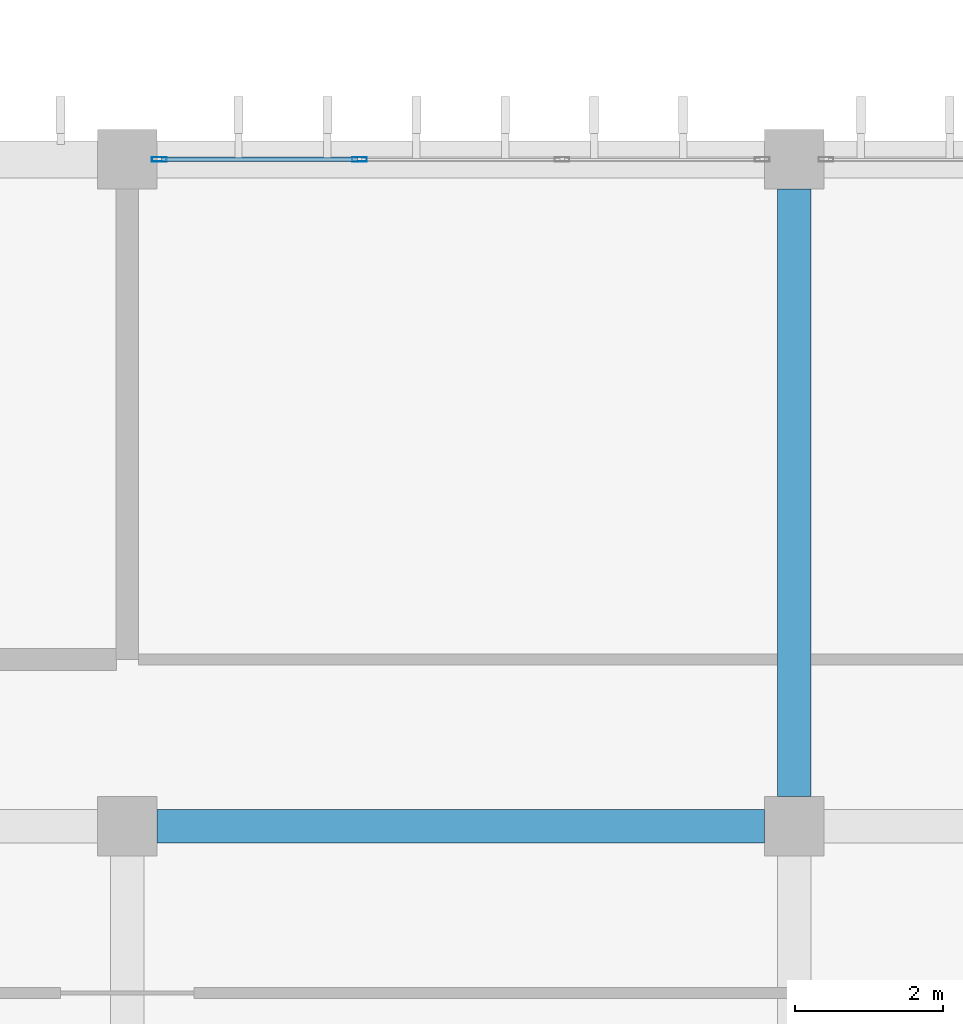
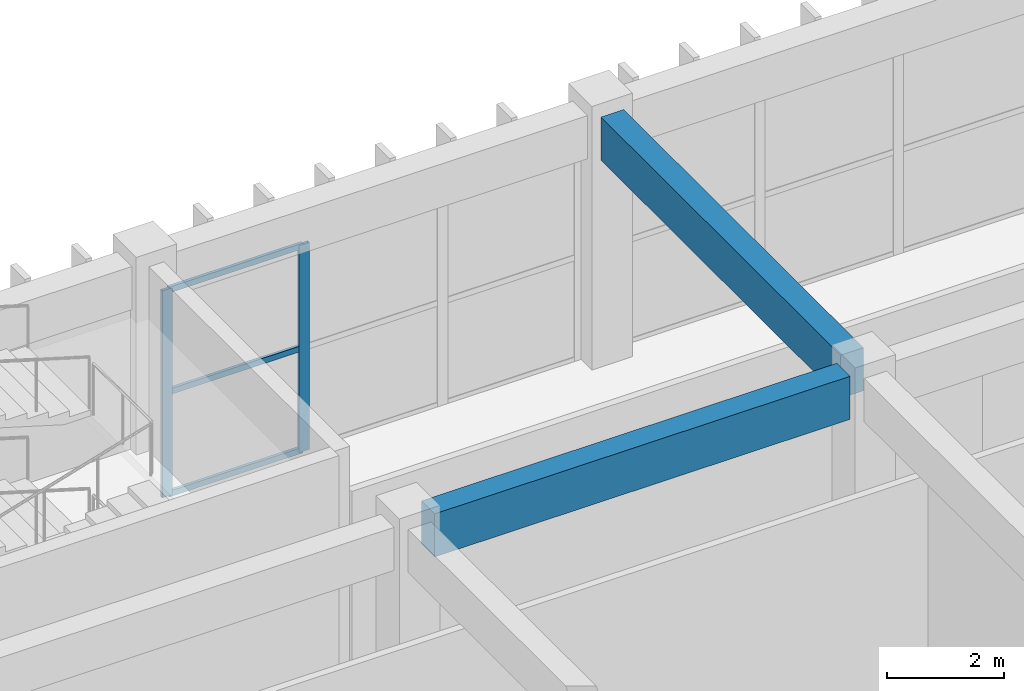
# One storey, part 214 of 437: 5 members, 2 beams, 1 element without a shape of its own.
"""IFC4 building model written with IfcOpenShell, lengths in metres."""

from ifc_helpers import new_model, si_unit, direction, frame, origin, origin_2d, place, context, subcontext, project, spatial, rectangle, hollow_rectangle, extrude, material, layer, layer_set, material_profile, profile_set, type_object, element, aggregate, save


model = new_model("IFC4")

# Units and contexts
model_context = context("Model", 3, precision=1e-05, world=origin(), true_north=direction((0.0, 1.0)))
body_context = subcontext(model_context, "Body", "Model", "MODEL_VIEW")
ifc_project = project(units=[si_unit("LENGTHUNIT", "METRE"), si_unit("AREAUNIT", "SQUARE_METRE"), si_unit("VOLUMEUNIT", "CUBIC_METRE"), si_unit("PLANEANGLEUNIT", "RADIAN"), si_unit("MASSUNIT", "GRAM", prefix="KILO")], contexts=[model_context])

# Site, building, storey
site_placement = place(None, origin())
site = spatial("IfcSite", under=ifc_project, at=site_placement, CompositionType="ELEMENT")
building_placement = place(site_placement, origin())
building = spatial("IfcBuilding", under=site, at=building_placement, Name="Opaline Strait Convention Centre", CompositionType="ELEMENT")
storey_placement = place(building_placement, frame((0.0, 0.0, 11.5)))
storey = spatial("IfcBuildingStorey", under=building, at=storey_placement, Name="L02", CompositionType="ELEMENT", Elevation=11.5)

# Curtain wall, members
ifc_material_1 = material(Name="Aluminium framed double glazing", Category="aluminium")
ifc_layer = layer(ifc_material_1, 0.199951171875)
ifc_layer_set = layer_set([ifc_layer], Name="Aluminium framed double glazing")
curtain_wall_type = type_object("IfcCurtainWallType", Name="Curtain wall 3000 module unitised", PredefinedType="NOTDEFINED", material=ifc_layer_set)
curtain_wall_placement = place(storey_placement, origin())
curtain_wall = element("IfcCurtainWall", 1, at=curtain_wall_placement, inside=storey, type_object=curtain_wall_type, Name="Curtain wall N L02 35/W", PredefinedType="NOTDEFINED")
ifc_material_2 = material(Name="Aluminium alloy 6063", Category="aluminium")
ifc_material_profile_1 = material_profile(ifc_material_2, hollow_rectangle(XDim=0.06005859375, YDim=0.199951171875, WallThickness=0.00390625, at=origin_2d()), Name="MULLION 60x200x4")
ifc_profile_set_1 = profile_set([ifc_material_profile_1], Name="Aluminium alloy 6063")
member_type_1 = type_object("IfcMemberType", Name="Curtain wall mullion 60 x 200", PredefinedType="MULLION", material=ifc_profile_set_1)
member_1_placement = place(storey_placement, frame((306.429931640625, 180.0, 0.0), z_axis=(0.0, 0.0, 1.0), x_axis=(0.0, 1.0, 0.0)))
member_1 = element("IfcMember", 2, at=member_1_placement, type_object=member_type_1, Name="MCWR1 mullion 1", PredefinedType="MULLION", context=body_context, shape_type="SweptSolid", body=[
    extrude(hollow_rectangle(XDim=0.06005859375, YDim=0.199951171875, WallThickness=0.00390625, at=origin_2d()), origin(), (0.0, 0.0, 1.0), 4.320068359375),
])
member_2_placement = place(storey_placement, frame((309.13330078125, 180.0, 0.0), z_axis=(0.0, 0.0, 1.0), x_axis=(0.0, 1.0, 0.0)))
member_2 = element("IfcMember", 3, at=member_2_placement, type_object=member_type_1, Name="MCWR1 mullion 2", PredefinedType="MULLION", context=body_context, shape_type="SweptSolid", body=[
    extrude(hollow_rectangle(XDim=0.06005859375, YDim=0.199951171875, WallThickness=0.00390625, at=origin_2d()), origin(), (0.0, 0.0, 1.0), 4.320068359375),
])
ifc_material_profile_2 = material_profile(ifc_material_2, hollow_rectangle(XDim=0.06005859375, YDim=0.1201171875, WallThickness=0.0029296875, at=origin_2d()), Name="TRANSOM 60x120x3")
ifc_profile_set_2 = profile_set([ifc_material_profile_2], Name="Aluminium alloy 6063")
member_type_2 = type_object("IfcMemberType", Name="Curtain wall transom 60 x 120", PredefinedType="USERDEFINED", material=ifc_profile_set_2)
member_3_placement = place(storey_placement, frame((306.4599609375, 180.0, 0.030029296875), z_axis=(1.0, 0.0, 0.0), x_axis=(0.0, 1.0, 0.0)))
member_3 = element("IfcMember", 4, at=member_3_placement, type_object=member_type_2, Name="MCWR1 transom 1.1", ObjectType="TRANSOM", PredefinedType="USERDEFINED", context=body_context, shape_type="SweptSolid", body=[
    extrude(hollow_rectangle(XDim=0.06005859375, YDim=0.1201171875, WallThickness=0.0029296875, at=origin_2d()), origin(), (0.0, 0.0, 1.0), 2.643310546875),
])
member_4_placement = place(storey_placement, frame((306.4599609375, 180.0, 2.159912109375), z_axis=(1.0, 0.0, 0.0), x_axis=(0.0, 1.0, 0.0)))
member_4 = element("IfcMember", 5, at=member_4_placement, type_object=member_type_2, Name="MCWR1 transom 1.2", ObjectType="TRANSOM", PredefinedType="USERDEFINED", context=body_context, shape_type="SweptSolid", body=[
    extrude(hollow_rectangle(XDim=0.06005859375, YDim=0.1201171875, WallThickness=0.0029296875, at=origin_2d()), origin(), (0.0, 0.0, 1.0), 2.643310546875),
])
member_5_placement = place(storey_placement, frame((306.4599609375, 180.0, 4.2900390625), z_axis=(1.0, 0.0, 0.0), x_axis=(0.0, 1.0, 0.0)))
member_5 = element("IfcMember", 6, at=member_5_placement, type_object=member_type_2, Name="MCWR1 transom 1.3", ObjectType="TRANSOM", PredefinedType="USERDEFINED", context=body_context, shape_type="SweptSolid", body=[
    extrude(hollow_rectangle(XDim=0.06005859375, YDim=0.1201171875, WallThickness=0.0029296875, at=origin_2d()), origin(), (0.0, 0.0, 1.0), 2.643310546875),
])
aggregate(curtain_wall, [member_1, member_2, member_3, member_4, member_5])

# Beams
ifc_material_3 = material(Name="Concrete C35", Category="concrete")
ifc_material_profile_3 = material_profile(ifc_material_3, rectangle(XDim=0.449951171875, YDim=0.89990234375, at=origin_2d()), Name="RC 450x900")
ifc_profile_set_3 = profile_set([ifc_material_profile_3], Name="Concrete C35")
beam_type = type_object("IfcBeamType", Name="RC beam 450x900 C35", PredefinedType="BEAM", material=ifc_profile_set_3)
for number, where, z_axis, x_axis, name in (
    (7, (306.39990234375, 171.0, 4.77001953125), (1.0, 0.0, 0.0), (0.0, 1.0, 0.0), "XB1 L02 35/V-36/V"),
    (8, (315.0, 171.39990234375, 4.77001953125), (0.0, 1.0, 0.0), (-1.0, 0.0, 0.0), "XB1 L02 36/V-36/W"),
):
    element("IfcBeam", number, at=place(storey_placement, frame(where, z_axis=z_axis, x_axis=x_axis)), inside=storey, type_object=beam_type, Name=name, PredefinedType="BEAM", context=body_context, shape_type="SweptSolid", body=[
        extrude(rectangle(XDim=0.449951171875, YDim=0.89990234375, at=origin_2d()), origin(), (0.0, 0.0, 1.0), 8.2001953125),
    ])

save(model, "model.ifc")
